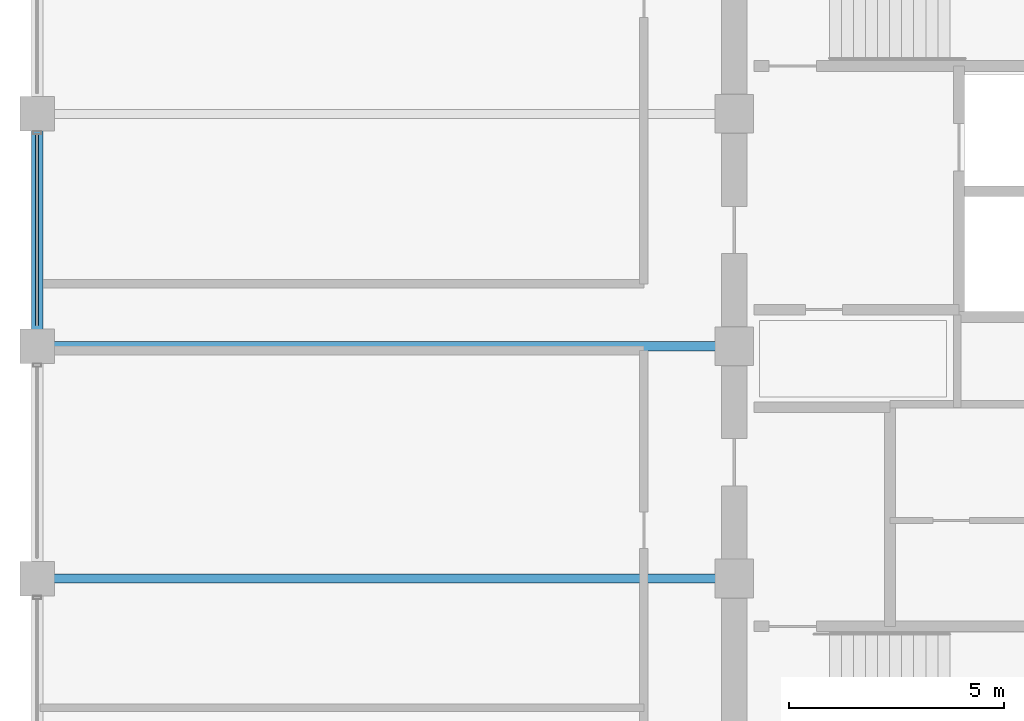
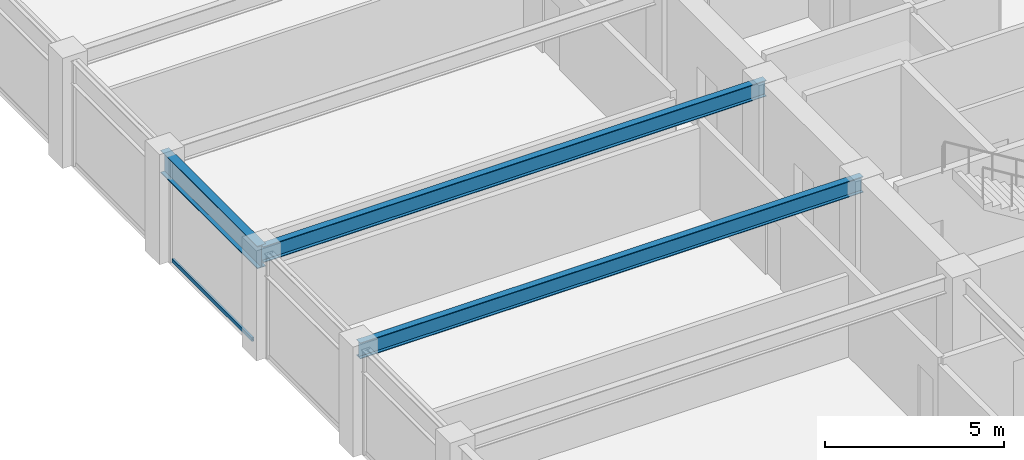
# One storey, part 9 of 32: 3 beams, 1 member, 1 element without a shape of its own.
"""IFC4 building model written with IfcOpenShell, lengths in metres."""

from ifc_helpers import new_model, si_unit, direction, frame, origin, origin_2d, place, context, subcontext, project, spatial, hollow_rectangle, i_section, extrude, material, layer, layer_set, material_profile, profile_set, type_object, element, aggregate, save


model = new_model("IFC4")

# Units and contexts
model_context = context("Model", 3, precision=1e-05, world=origin(), true_north=direction((0.0, 1.0)))
body_context = subcontext(model_context, "Body", "Model", "MODEL_VIEW")
ifc_project = project(units=[si_unit("LENGTHUNIT", "METRE"), si_unit("AREAUNIT", "SQUARE_METRE"), si_unit("VOLUMEUNIT", "CUBIC_METRE"), si_unit("PLANEANGLEUNIT", "RADIAN"), si_unit("MASSUNIT", "GRAM", prefix="KILO")], contexts=[model_context])

# Site, building, storey
site_placement = place(None, origin())
site = spatial("IfcSite", under=ifc_project, at=site_placement, CompositionType="ELEMENT")
building_placement = place(site_placement, origin())
building = spatial("IfcBuilding", under=site, at=building_placement, Name="Surkhivell Harbour Commons", CompositionType="ELEMENT")
storey_placement = place(building_placement, frame((0.0, 0.0, 219.75)))
storey = spatial("IfcBuildingStorey", under=building, at=storey_placement, Name="L57", CompositionType="ELEMENT", Elevation=219.75)

# Beams
ifc_material_1 = material(Name="Steel S355", Category="steel")
ifc_material_profile_1 = material_profile(ifc_material_1, i_section(OverallWidth=0.2119140625, OverallDepth=0.5439453125, WebThickness=0.0126953125, FlangeThickness=0.021240234375, at=origin_2d()), Name="UB533x210x122")
ifc_profile_set_1 = profile_set([ifc_material_profile_1], Name="Steel S355")
beam_type_1 = type_object("IfcBeamType", Name="BM-GRD-533A", PredefinedType="BEAM", material=ifc_profile_set_1)
for number, where, z_axis, x_axis, name in (
    (1, (-27.0, -5.39990234375, 3.298095703125), (1.0, 0.0, 0.0), (0.0, 1.0, 0.0), "L57 Floor Girder (-27.0,-5.4)"),
    (2, (-27.0, 0.0, 3.298095703125), (1.0, 0.0, 0.0), (0.0, 1.0, 0.0), "L57 Floor Girder (-27.0,0.0)"),
):
    element("IfcBeam", number, at=place(storey_placement, frame(where, z_axis=z_axis, x_axis=x_axis)), inside=storey, type_object=beam_type_1, Name=name, PredefinedType="BEAM", context=body_context, shape_type="SweptSolid", body=[
        extrude(i_section(OverallWidth=0.2119140625, OverallDepth=0.5439453125, WebThickness=0.0126953125, FlangeThickness=0.021240234375, at=origin_2d()), origin(), (0.0, 0.0, 1.0), 16.199951171875),
    ])
ifc_material_profile_2 = material_profile(ifc_material_1, i_section(OverallWidth=0.26806640625, OverallDepth=0.77001953125, WebThickness=0.015625, FlangeThickness=0.025390625, at=origin_2d()), Name="UB762x267x197")
ifc_profile_set_2 = profile_set([ifc_material_profile_2], Name="Steel S355")
beam_type_2 = type_object("IfcBeamType", Name="BM-SPN-762", PredefinedType="SPANDREL", material=ifc_profile_set_2)
beam_placement = place(storey_placement, frame((-27.0, 0.0, 3.18505859375), z_axis=(0.0, 1.0, 0.0), x_axis=(-1.0, 0.0, 0.0)))
element("IfcBeam", 3, at=beam_placement, inside=storey, type_object=beam_type_2, Name="L57 Tube Spandrel (-27.0,0.0)", PredefinedType="SPANDREL", context=body_context, shape_type="SweptSolid", body=[
    extrude(i_section(OverallWidth=0.26806640625, OverallDepth=0.77001953125, WebThickness=0.015625, FlangeThickness=0.025390625, at=origin_2d()), origin(), (0.0, 0.0, 1.0), 5.39990234375),
])

# Curtain wall, member
ifc_material_2 = material(Name="Anodised pale-metal aluminium and insulated glazing", Category="aluminium")
ifc_layer = layer(ifc_material_2, 0.18994140625)
ifc_layer_set = layer_set([ifc_layer], Name="Anodised pale-metal aluminium and insulated glazing")
curtain_wall_type = type_object("IfcCurtainWallType", Name="CW-SYS-Z3", PredefinedType="NOTDEFINED", material=ifc_layer_set)
curtain_wall_placement = place(storey_placement, origin())
curtain_wall = element("IfcCurtainWall", 4, at=curtain_wall_placement, inside=storey, type_object=curtain_wall_type, Name="L57 Curtain Wall CW-L57-E12S1", PredefinedType="NOTDEFINED")
ifc_material_3 = material(Name="Champagne anodised aluminium alloy 6063-T6", Category="aluminium")
ifc_material_profile_3 = material_profile(ifc_material_3, hollow_rectangle(XDim=0.070068359375, YDim=0.1298828125, WallThickness=0.00341796875, at=origin_2d()), Name="ALU-TRAN-70x130")
ifc_profile_set_3 = profile_set([ifc_material_profile_3], Name="Champagne anodised aluminium alloy 6063-T6")
member_type = type_object("IfcMemberType", Name="CWT-130", PredefinedType="USERDEFINED", material=ifc_profile_set_3)
member_placement = place(storey_placement, frame((-27.0, 4.923095703125, 0.06494140625), z_axis=(0.0, -1.0, 0.0), x_axis=(1.0, 0.0, 0.0)))
member = element("IfcMember", 5, at=member_placement, type_object=member_type, Name="CW-Z3 transom 4.1", ObjectType="TRANSOM", PredefinedType="USERDEFINED", context=body_context, shape_type="SweptSolid", body=[
    extrude(hollow_rectangle(XDim=0.070068359375, YDim=0.1298828125, WallThickness=0.00341796875, at=origin_2d()), origin(), (0.0, 0.0, 1.0), 4.446044921875),
])
aggregate(curtain_wall, [member])

save(model, "model.ifc")
